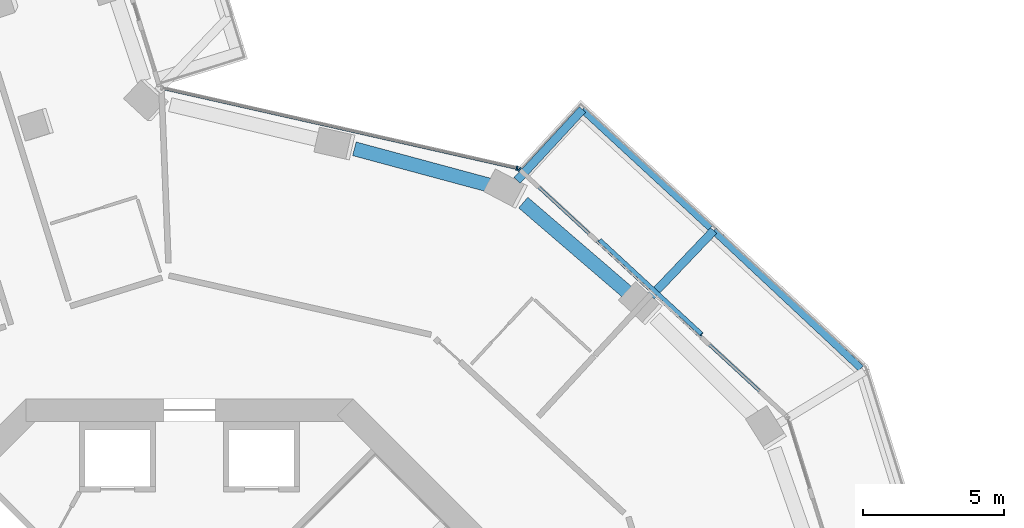
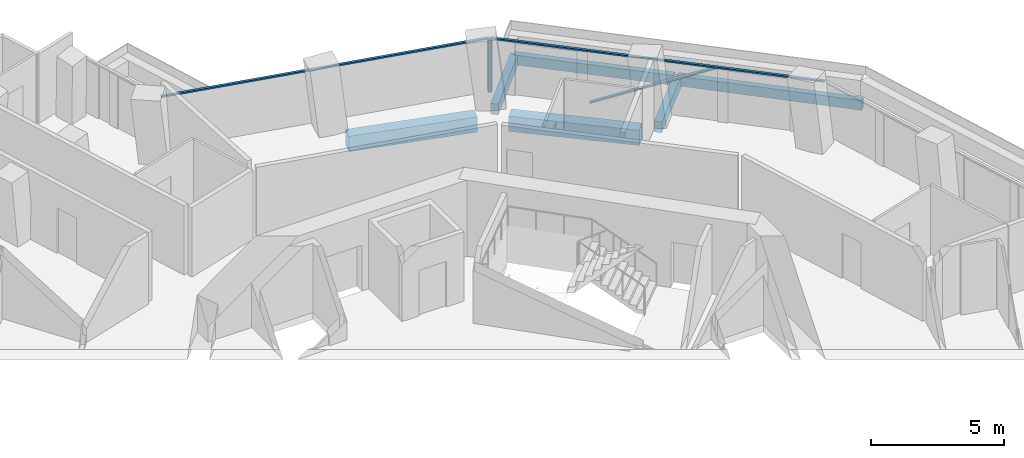
# One storey, part 10 of 25: 6 beams, 5 members, 2 elements without a shape of their own.
"""IFC4 building model written with IfcOpenShell, lengths in metres."""

import ifcopenshell
import ifcopenshell.guid

model = None  # the IFC model being written
_history = None  # IfcOwnerHistory: only IFC2X3 demands one
_inside = {}  # id of a spatial element -> (the spatial element, [elements in it])
_under = {}  # id of a project, library or spatial element -> (it, [spatial elements below it])
_declared = {}  # id of a project -> (the project, [libraries it declares])
_typed = {}  # id of a type object -> (the type object, [elements of that type])
_made_of = {}  # id of a material, layer set ... -> (it, [elements and type objects made of it])


def new_model(schema):
    """Start an empty IFC model of exactly this schema.

    Asked for "IFC4X3", IfcOpenShell would pick the latest addendum, in which some entities
    have other attributes; the version numbers below select the first issue.
    IFC2X3 requires an IfcOwnerHistory on every rooted entity: one is made here for all.
    """
    global model, _history
    if schema == "IFC4X3":
        model = ifcopenshell.file(schema_version=(4, 3, 0, 0))
    else:
        model = ifcopenshell.file(schema=schema)
    _inside.clear()
    _under.clear()
    _declared.clear()
    _typed.clear()
    _made_of.clear()
    _history = None
    if model.schema == "IFC2X3":
        org = make("IfcOrganization", Name="unknown")
        user = make(
            "IfcPersonAndOrganization",
            ThePerson=make("IfcPerson", FamilyName="unknown"),
            TheOrganization=org,
        )
        app = make(
            "IfcApplication",
            ApplicationDeveloper=org,
            Version="unknown",
            ApplicationFullName="unknown",
            ApplicationIdentifier="unknown",
        )
        _history = make(
            "IfcOwnerHistory",
            OwningUser=user,
            OwningApplication=app,
            ChangeAction="ADDED",
            CreationDate=0,
        )
    return model


def make(cls, **values):
    """One entity of the class cls with the attributes given. An attribute that is None is left unset."""
    return model.create_entity(
        cls, **{name: value for name, value in values.items() if value is not None}
    )


def rooted(cls, **values):
    """An entity with a GlobalId (a new one), such as an element, a storey or a relation."""
    return make(cls, GlobalId=ifcopenshell.guid.new(), OwnerHistory=_history, **values)


def si_unit(unit_type, name, prefix=None):
    """IfcSIUnit, for example si_unit("LENGTHUNIT", "METRE", prefix="MILLI")."""
    return make("IfcSIUnit", UnitType=unit_type, Prefix=prefix, Name=name)


def assignment(units):
    """IfcUnitAssignment: the units of a project."""
    return None if units is None else make("IfcUnitAssignment", Units=units)


def point(xyz):
    """IfcCartesianPoint."""
    return None if xyz is None else make("IfcCartesianPoint", Coordinates=xyz)


def direction(xyz):
    """IfcDirection."""
    return None if xyz is None else make("IfcDirection", DirectionRatios=xyz)


def frame(location, z_axis=None, x_axis=None):
    """IfcAxis2Placement3D, a coordinate frame: its origin and axes. An axis left out is left unset."""
    return make(
        "IfcAxis2Placement3D",
        Location=point(location),
        Axis=direction(z_axis),
        RefDirection=direction(x_axis),
    )


def frame_2d(location, x_axis=None):
    """IfcAxis2Placement2D, a coordinate frame in the plane: its origin and x axis."""
    return make(
        "IfcAxis2Placement2D", Location=point(location), RefDirection=direction(x_axis)
    )


def origin():
    """The frame at (0, 0, 0) with its axes left unset."""
    return frame((0.0, 0.0, 0.0))


def origin_2d():
    """The frame at (0, 0) in the plane with its x axis left unset."""
    return frame_2d((0.0, 0.0))


def place(relative_to, where):
    """IfcLocalPlacement: puts the frame where relative to a parent placement (None: the world)."""
    return make(
        "IfcLocalPlacement", PlacementRelTo=relative_to, RelativePlacement=where
    )


def context(
    kind, dimensions, precision=None, world=None, true_north=None, identifier=None
):
    """IfcGeometricRepresentationContext, for example the 3D "Model" context."""
    return make(
        "IfcGeometricRepresentationContext",
        ContextIdentifier=identifier,
        ContextType=kind,
        CoordinateSpaceDimension=dimensions,
        Precision=precision,
        WorldCoordinateSystem=world,
        TrueNorth=true_north,
    )


def subcontext(parent, identifier, kind, view, scale=None):
    """IfcGeometricRepresentationSubContext, for example "Body" below "Model"."""
    return make(
        "IfcGeometricRepresentationSubContext",
        ContextIdentifier=identifier,
        ContextType=kind,
        ParentContext=parent,
        TargetScale=scale,
        TargetView=view,
    )


def project(units=None, contexts=None):
    """IfcProject with its units and contexts."""
    return rooted(
        "IfcProject",
        Name="project",
        RepresentationContexts=contexts,
        UnitsInContext=assignment(units),
    )


def spatial(cls, under=None, at=None, **own):
    """A site, building, storey or space (cls), placed at a placement, below another one or the project."""
    s = rooted(cls, ObjectPlacement=at, **own)
    if under is not None:
        _under.setdefault(under.id(), (under, []))[1].append(s)
    return s


def profile(cls, at=None, kind="AREA", **sizes):
    """A parametric profile (cls). Its sizes go by their IFC names, for example OverallWidth=200.0."""
    return make(cls, ProfileType=kind, Position=at, **sizes)


def rectangle(**sizes):
    """IfcRectangleProfileDef."""
    return profile("IfcRectangleProfileDef", **sizes)


def extrude(swept, where, along, depth):
    """IfcExtrudedAreaSolid: the profile swept, set in the frame where, extruded along a direction by depth."""
    return make(
        "IfcExtrudedAreaSolid",
        SweptArea=swept,
        Position=where,
        ExtrudedDirection=direction(along),
        Depth=depth,
    )


def shape(context_of_items, identifier, shape_type, items):
    """IfcShapeRepresentation: the items that make up one representation, for example the "Body"."""
    return make(
        "IfcShapeRepresentation",
        ContextOfItems=context_of_items,
        RepresentationIdentifier=identifier,
        RepresentationType=shape_type,
        Items=items,
    )


def material(Name=None, Category=None):
    """IfcMaterial."""
    return make("IfcMaterial", Name=Name, Category=Category)


def layer(
    of_material, thickness, ventilated=None, Name=None, Category=None, Priority=None
):
    """IfcMaterialLayer: one layer of a wall or slab, of a material (None: an air gap)."""
    return make(
        "IfcMaterialLayer",
        Material=of_material,
        LayerThickness=thickness,
        IsVentilated=ventilated,
        Name=Name,
        Category=Category,
        Priority=Priority,
    )


def layer_set(layers, Name=None):
    """IfcMaterialLayerSet."""
    return make("IfcMaterialLayerSet", MaterialLayers=layers, LayerSetName=Name)


def material_profile(
    of_material, cross_section, Name=None, Category=None, Priority=None
):
    """IfcMaterialProfile: a cross section and its material."""
    return make(
        "IfcMaterialProfile",
        Name=Name,
        Material=of_material,
        Profile=cross_section,
        Priority=Priority,
        Category=Category,
    )


def profile_set(profiles, Name=None, composite=None):
    """IfcMaterialProfileSet."""
    return make(
        "IfcMaterialProfileSet",
        Name=Name,
        MaterialProfiles=profiles,
        CompositeProfile=composite,
    )


def made_of(thing, what):
    """Note that an element or type object is made of a material, layer set ...; save() writes the relation."""
    if what is not None:
        _made_of.setdefault(what.id(), (what, []))[1].append(thing)
    return thing


def type_object(cls, material=None, **own):
    """A type object (cls), such as IfcWallType, which elements share."""
    return made_of(rooted(cls, **own), material)


def element(
    cls,
    number,
    at=None,
    inside=None,
    cuts=None,
    type_object=None,
    material=None,
    context=None,
    identifier="Body",
    shape_type=None,
    held_by="IfcProductDefinitionShape",
    body=None,
    shapes=None,
    **own,
):
    """One element of the class cls, such as IfcWall. Its Tag is "e" and its number.

    at: its placement. inside: the storey or other place that contains it. cuts: it is an
    opening in that element (IfcRelVoidsElement). A single representation is given by context,
    identifier, shape_type and body (its items); several are given by shapes. held_by: the class
    of the entity that holds the representations. save() writes the other relations.
    """
    e = rooted(cls, Tag="e%d" % number, ObjectPlacement=at, **own)
    if body is not None:
        shapes = [shape(context, identifier, shape_type, body)]
    if shapes is not None:
        e.Representation = make(held_by, Representations=shapes)
    if inside is not None:
        _inside.setdefault(inside.id(), (inside, []))[1].append(e)
    if cuts is not None:
        rooted(
            "IfcRelVoidsElement", RelatingBuildingElement=cuts, RelatedOpeningElement=e
        )
    if type_object is not None:
        _typed.setdefault(type_object.id(), (type_object, []))[1].append(e)
    return made_of(e, material)


def aggregate(whole, parts):
    """IfcRelAggregates: a whole, such as a stair, and the parts it consists of."""
    return rooted("IfcRelAggregates", RelatingObject=whole, RelatedObjects=parts)


def save(model, path):
    """Write the relations noted so far, then the file.

    IfcRelAggregates (storeys below a building ...), IfcRelContainedInSpatialStructure (elements
    in a storey), IfcRelDefinesByType, IfcRelAssociatesMaterial and IfcRelDeclares: one each for
    every whole, place, type object, material and project.
    """
    for whole, parts in _under.values():
        aggregate(whole, parts)
    for where, things in _inside.values():
        rooted(
            "IfcRelContainedInSpatialStructure",
            RelatedElements=things,
            RelatingStructure=where,
        )
    for kind, things in _typed.values():
        rooted("IfcRelDefinesByType", RelatedObjects=things, RelatingType=kind)
    for what, things in _made_of.values():
        rooted("IfcRelAssociatesMaterial", RelatedObjects=things, RelatingMaterial=what)
    for by, libraries in _declared.values():
        rooted("IfcRelDeclares", RelatingContext=by, RelatedDefinitions=libraries)
    model.write(path)


model = new_model("IFC4")

# Units and contexts
model_context = context("Model", 3, precision=1e-05, world=origin(), true_north=direction((0.0, 1.0)))
body_context = subcontext(model_context, "Body", "Model", "MODEL_VIEW")
ifc_project = project(units=[si_unit("LENGTHUNIT", "METRE"), si_unit("AREAUNIT", "SQUARE_METRE"), si_unit("VOLUMEUNIT", "CUBIC_METRE"), si_unit("PLANEANGLEUNIT", "RADIAN"), si_unit("MASSUNIT", "GRAM", prefix="KILO")], contexts=[model_context])

# Site, building, storey
site_placement = place(None, origin())
site = spatial("IfcSite", under=ifc_project, at=site_placement, CompositionType="ELEMENT")
building_placement = place(site_placement, origin())
building = spatial("IfcBuilding", under=site, at=building_placement, Name="Verdalira Terraces Hotel", CompositionType="ELEMENT")
storey_placement = place(building_placement, frame((0.0, 0.0, 103.5)))
storey = spatial("IfcBuildingStorey", under=building, at=storey_placement, Name="L24", CompositionType="ELEMENT", Elevation=103.5)

# Beams
ifc_material_1 = material(Name="Concrete C40", Category="concrete")
ifc_material_profile_1 = material_profile(ifc_material_1, rectangle(XDim=0.300049, YDim=0.5, at=origin_2d()), Name="RC 300X500")
ifc_profile_set_1 = profile_set([ifc_material_profile_1], Name="Concrete C40")
beam_type_1 = type_object("IfcBeamType", Name="Balcony cantilever beam RC 300X500 C40", PredefinedType="BEAM", material=ifc_profile_set_1)
beam_1_placement = place(storey_placement, frame((16.352539, 17.645996, -0.560059), z_axis=(0.69067346, 0.723166767, 0.0), x_axis=(-0.723166767, 0.69067346, 0.0)))
element("IfcBeam", 1, at=beam_1_placement, inside=storey, type_object=beam_type_1, Name="Balcony cantilever beam R39-4", PredefinedType="BEAM", context=body_context, shape_type="SweptSolid", body=[
    extrude(rectangle(XDim=0.300049, YDim=0.5, at=origin_2d()), origin(), (0.0, 0.0, 1.0), 3.200684),
])
beam_2_placement = place(storey_placement, frame((11.599609, 21.73999, -0.560059), z_axis=(0.678395826, 0.734696606, 0.0), x_axis=(-0.734696606, 0.678395826, 0.0)))
element("IfcBeam", 2, at=beam_2_placement, inside=storey, type_object=beam_type_1, Name="Balcony cantilever beam R39-5", PredefinedType="BEAM", context=body_context, shape_type="SweptSolid", body=[
    extrude(rectangle(XDim=0.300049, YDim=0.5, at=origin_2d()), origin(), (0.0, 0.0, 1.0), 3.416992),
])
ifc_material_2 = material(Name="Concrete C40", Category="concrete")
ifc_material_profile_2 = material_profile(ifc_material_2, rectangle(XDim=0.25, YDim=0.449951, at=origin_2d()), Name="RC 250X450")
ifc_profile_set_2 = profile_set([ifc_material_profile_2], Name="Concrete C40")
beam_type_2 = type_object("IfcBeamType", Name="Balcony edge beam RC 250X450 C40", PredefinedType="BEAM", material=ifc_profile_set_2)
beam_3_placement = place(storey_placement, frame((23.781738, 15.078857, -0.534912), z_axis=(-0.730270864, 0.683157717, 0.0), x_axis=(-0.683157717, -0.730270864, 0.0)))
element("IfcBeam", 3, at=beam_3_placement, inside=storey, type_object=beam_type_2, Name="Balcony edge beam R39-3", PredefinedType="BEAM", context=body_context, shape_type="SweptSolid", body=[
    extrude(rectangle(XDim=0.25, YDim=0.449951, at=origin_2d()), origin(), (0.0, 0.0, 1.0), 7.145996),
])
beam_4_placement = place(storey_placement, frame((18.452881, 20.0625, -0.534912), z_axis=(-0.734666966, 0.678427925, 0.0), x_axis=(-0.678427925, -0.734666966, 0.0)))
element("IfcBeam", 4, at=beam_4_placement, inside=storey, type_object=beam_type_2, Name="Balcony edge beam R39-4", PredefinedType="BEAM", context=body_context, shape_type="SweptSolid", body=[
    extrude(rectangle(XDim=0.25, YDim=0.449951, at=origin_2d()), origin(), (0.0, 0.0, 1.0), 6.173096),
])

# Curtain wall, member
ifc_material_3 = material(Name="Clear glass", Category="glass")
ifc_layer = layer(ifc_material_3, 0.14990234375)
ifc_layer_set = layer_set([ifc_layer], Name="CW1 curtain wall")
curtain_wall_type = type_object("IfcCurtainWallType", Name="CW1 curtain wall", PredefinedType="NOTDEFINED", material=ifc_layer_set)
curtain_wall_1_placement = place(storey_placement, origin())
curtain_wall_1 = element("IfcCurtainWall", 5, at=curtain_wall_1_placement, inside=storey, type_object=curtain_wall_type, Name="CW1 curtain wall L24 edge 40", PredefinedType="NOTDEFINED")
ifc_material_4 = material(Name="Terracotta frame", Category="masonry")
ifc_material_profile_3 = material_profile(ifc_material_4, rectangle(XDim=0.060059, YDim=0.149902, at=origin_2d()), Name="MU 60x150")
ifc_profile_set_3 = profile_set([ifc_material_profile_3], Name="Terracotta frame")
member_type_1 = type_object("IfcMemberType", Name="CW1 mullion 60x150", PredefinedType="MULLION", material=ifc_profile_set_3)
member_1_placement = place(storey_placement, frame((11.682617, 22.12915, 0.0), z_axis=(0.0, 0.0, 1.0), x_axis=(-0.734677828, 0.678416162, 0.0)))
member_1 = element("IfcMember", 6, at=member_1_placement, type_object=member_type_1, Name="CW1 mullion", PredefinedType="MULLION", context=body_context, shape_type="SweptSolid", body=[
    extrude(rectangle(XDim=0.060059, YDim=0.149902, at=origin_2d()), origin(), (0.0, 0.0, 1.0), 2.425049),
])

curtain_wall_2_placement = place(storey_placement, origin())
curtain_wall_2 = element("IfcCurtainWall", 7, at=curtain_wall_2_placement, inside=storey, type_object=curtain_wall_type, Name="CW1 curtain wall L24 edge 41", PredefinedType="NOTDEFINED")
member_2_placement = place(storey_placement, frame((11.596924, 22.174072, 0.0), z_axis=(0.0, 0.0, 1.0), x_axis=(-0.975457744, 0.220186717, 0.0)))
member_2 = element("IfcMember", 8, at=member_2_placement, type_object=member_type_1, Name="CW1 mullion", PredefinedType="MULLION", context=body_context, shape_type="SweptSolid", body=[
    extrude(rectangle(XDim=0.060059, YDim=0.149902, at=origin_2d()), origin(), (0.0, 0.0, 1.0), 2.425049),
])

# Member
ifc_material_5 = material(Name="Terracotta frame", Category="masonry")
ifc_material_profile_4 = material_profile(ifc_material_5, rectangle(XDim=0.110107, YDim=0.064941, at=origin_2d()), Name="TR 65x110")
ifc_profile_set_4 = profile_set([ifc_material_profile_4], Name="Terracotta frame")
member_type_2 = type_object("IfcMemberType", Name="CW1 transom 65x110", PredefinedType="USERDEFINED", material=ifc_profile_set_4)
member_3_placement = place(storey_placement, frame((21.152344, 13.384521, 2.45752), z_axis=(-0.734683895, 0.678409592, 0.0), x_axis=(-0.678409592, -0.734683895, 0.0)))
member_3 = element("IfcMember", 9, at=member_3_placement, type_object=member_type_2, Name="CW1 transom", ObjectType="TRANSOM", PredefinedType="USERDEFINED", context=body_context, shape_type="SweptSolid", body=[
    extrude(rectangle(XDim=0.110107, YDim=0.064941, at=origin_2d()), origin(), (0.0, 0.0, 1.0), 12.919678),
])

member_4_placement = place(storey_placement, frame((11.626221, 22.16748, 2.45752), z_axis=(-0.975459147, 0.220180501, 0.0), x_axis=(-0.220180501, -0.975459147, 0.0)))
member_4 = element("IfcMember", 10, at=member_4_placement, type_object=member_type_2, Name="CW1 transom", ObjectType="TRANSOM", PredefinedType="USERDEFINED", context=body_context, shape_type="SweptSolid", body=[
    extrude(rectangle(XDim=0.110107, YDim=0.064941, at=origin_2d()), origin(), (0.0, 0.0, 1.0), 12.959961),
])

aggregate(curtain_wall_2, [member_2, member_4])

ifc_material_6 = material(Name="Terracotta frame", Category="masonry")
ifc_material_profile_5 = material_profile(ifc_material_6, rectangle(XDim=0.149902, YDim=0.060059, at=origin_2d()), Name="GB 60x150")
ifc_profile_set_5 = profile_set([ifc_material_profile_5], Name="Terracotta frame")
member_type_3 = type_object("IfcMemberType", Name="Diagonal glazing bar 60x150", PredefinedType="USERDEFINED", material=ifc_profile_set_5)
member_5_placement = place(storey_placement, frame((18.137695, 16.289551, 2.397217), z_axis=(-0.661576438, 0.610896206, -0.434882101), x_axis=(-0.678406167, -0.734687057, 0.0)))
member_5 = element("IfcMember", 11, at=member_5_placement, type_object=member_type_3, Name="Diagonal glazing bar", ObjectType="GLAZING BAR", PredefinedType="USERDEFINED", context=body_context, shape_type="SweptSolid", body=[
    extrude(rectangle(XDim=0.149902, YDim=0.060059, at=origin_2d()), origin(), (0.0, 0.0, 1.0), 5.448242),
])

aggregate(curtain_wall_1, [member_1, member_3, member_5])

# Beams
ifc_material_7 = material(Name="Concrete C70", Category="concrete")
ifc_material_profile_6 = material_profile(ifc_material_7, rectangle(XDim=0.5, YDim=0.699951, at=origin_2d()), Name="RC 500X700")
ifc_profile_set_6 = profile_set([ifc_material_profile_6], Name="Concrete C70")
beam_type_3 = type_object("IfcBeamType", Name="Spandrel beam RC 500X700 C70", PredefinedType="SPANDREL", material=ifc_profile_set_6)
beam_5_placement = place(storey_placement, frame((15.617676, 17.683105, -0.659912), z_axis=(-0.758045035, 0.652202212, 0.0), x_axis=(-0.652202212, -0.758045035, 0.0)))
element("IfcBeam", 12, at=beam_5_placement, inside=storey, type_object=beam_type_3, Name="Spandrel beam B27", PredefinedType="SPANDREL", context=body_context, shape_type="SweptSolid", body=[
    extrude(rectangle(XDim=0.5, YDim=0.699951, at=origin_2d()), origin(), (0.0, 0.0, 1.0), 5.012207),
])
beam_6_placement = place(storey_placement, frame((10.678955, 21.552979, -0.659912), z_axis=(-0.965480269, 0.260476198, 0.0), x_axis=(-0.260476198, -0.965480269, 0.0)))
element("IfcBeam", 13, at=beam_6_placement, inside=storey, type_object=beam_type_3, Name="Spandrel beam B28", PredefinedType="SPANDREL", context=body_context, shape_type="SweptSolid", body=[
    extrude(rectangle(XDim=0.5, YDim=0.699951, at=origin_2d()), origin(), (0.0, 0.0, 1.0), 5.015381),
])

save(model, "model.ifc")
